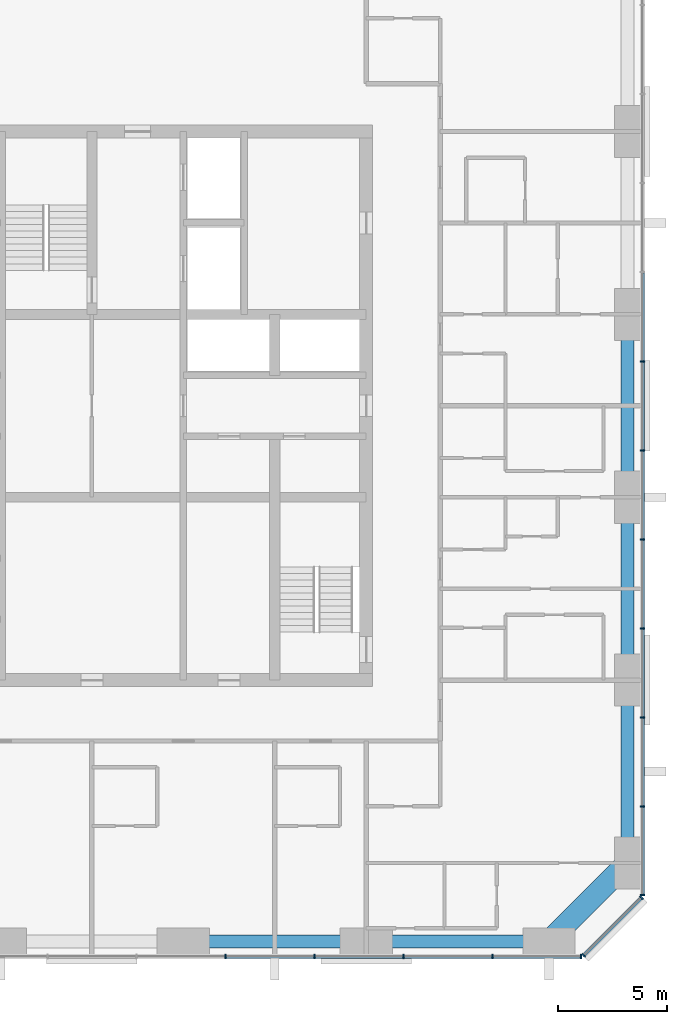
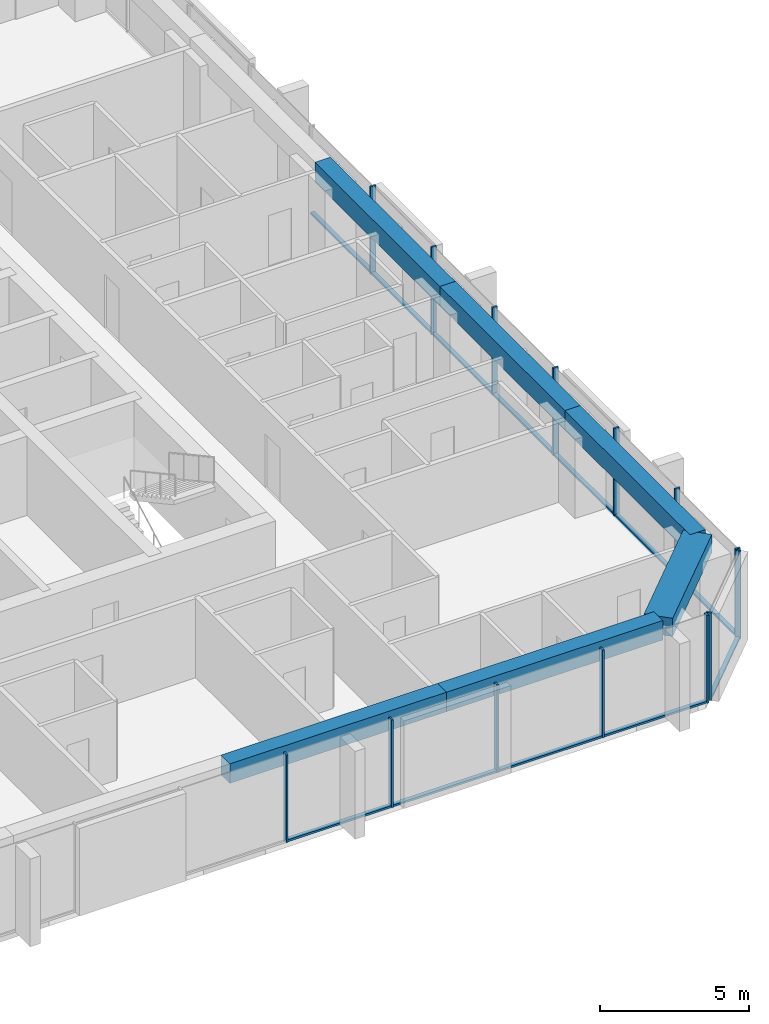
# One storey, part 4 of 13: 26 members, 6 beams, 3 elements without a shape of their own.
"""IFC4 building model written with IfcOpenShell, lengths in metres."""

import ifcopenshell
import ifcopenshell.guid

model = None  # the IFC model being written
_history = None  # IfcOwnerHistory: only IFC2X3 demands one
_inside = {}  # id of a spatial element -> (the spatial element, [elements in it])
_under = {}  # id of a project, library or spatial element -> (it, [spatial elements below it])
_declared = {}  # id of a project -> (the project, [libraries it declares])
_typed = {}  # id of a type object -> (the type object, [elements of that type])
_made_of = {}  # id of a material, layer set ... -> (it, [elements and type objects made of it])


def new_model(schema):
    """Start an empty IFC model of exactly this schema.

    Asked for "IFC4X3", IfcOpenShell would pick the latest addendum, in which some entities
    have other attributes; the version numbers below select the first issue.
    IFC2X3 requires an IfcOwnerHistory on every rooted entity: one is made here for all.
    """
    global model, _history
    if schema == "IFC4X3":
        model = ifcopenshell.file(schema_version=(4, 3, 0, 0))
    else:
        model = ifcopenshell.file(schema=schema)
    _inside.clear()
    _under.clear()
    _declared.clear()
    _typed.clear()
    _made_of.clear()
    _history = None
    if model.schema == "IFC2X3":
        org = make("IfcOrganization", Name="unknown")
        user = make(
            "IfcPersonAndOrganization",
            ThePerson=make("IfcPerson", FamilyName="unknown"),
            TheOrganization=org,
        )
        app = make(
            "IfcApplication",
            ApplicationDeveloper=org,
            Version="unknown",
            ApplicationFullName="unknown",
            ApplicationIdentifier="unknown",
        )
        _history = make(
            "IfcOwnerHistory",
            OwningUser=user,
            OwningApplication=app,
            ChangeAction="ADDED",
            CreationDate=0,
        )
    return model


def make(cls, **values):
    """One entity of the class cls with the attributes given. An attribute that is None is left unset."""
    return model.create_entity(
        cls, **{name: value for name, value in values.items() if value is not None}
    )


def rooted(cls, **values):
    """An entity with a GlobalId (a new one), such as an element, a storey or a relation."""
    return make(cls, GlobalId=ifcopenshell.guid.new(), OwnerHistory=_history, **values)


def si_unit(unit_type, name, prefix=None):
    """IfcSIUnit, for example si_unit("LENGTHUNIT", "METRE", prefix="MILLI")."""
    return make("IfcSIUnit", UnitType=unit_type, Prefix=prefix, Name=name)


def assignment(units):
    """IfcUnitAssignment: the units of a project."""
    return None if units is None else make("IfcUnitAssignment", Units=units)


def point(xyz):
    """IfcCartesianPoint."""
    return None if xyz is None else make("IfcCartesianPoint", Coordinates=xyz)


def direction(xyz):
    """IfcDirection."""
    return None if xyz is None else make("IfcDirection", DirectionRatios=xyz)


def frame(location, z_axis=None, x_axis=None):
    """IfcAxis2Placement3D, a coordinate frame: its origin and axes. An axis left out is left unset."""
    return make(
        "IfcAxis2Placement3D",
        Location=point(location),
        Axis=direction(z_axis),
        RefDirection=direction(x_axis),
    )


def frame_2d(location, x_axis=None):
    """IfcAxis2Placement2D, a coordinate frame in the plane: its origin and x axis."""
    return make(
        "IfcAxis2Placement2D", Location=point(location), RefDirection=direction(x_axis)
    )


def origin():
    """The frame at (0, 0, 0) with its axes left unset."""
    return frame((0.0, 0.0, 0.0))


def origin_2d():
    """The frame at (0, 0) in the plane with its x axis left unset."""
    return frame_2d((0.0, 0.0))


def place(relative_to, where):
    """IfcLocalPlacement: puts the frame where relative to a parent placement (None: the world)."""
    return make(
        "IfcLocalPlacement", PlacementRelTo=relative_to, RelativePlacement=where
    )


def context(
    kind, dimensions, precision=None, world=None, true_north=None, identifier=None
):
    """IfcGeometricRepresentationContext, for example the 3D "Model" context."""
    return make(
        "IfcGeometricRepresentationContext",
        ContextIdentifier=identifier,
        ContextType=kind,
        CoordinateSpaceDimension=dimensions,
        Precision=precision,
        WorldCoordinateSystem=world,
        TrueNorth=true_north,
    )


def subcontext(parent, identifier, kind, view, scale=None):
    """IfcGeometricRepresentationSubContext, for example "Body" below "Model"."""
    return make(
        "IfcGeometricRepresentationSubContext",
        ContextIdentifier=identifier,
        ContextType=kind,
        ParentContext=parent,
        TargetScale=scale,
        TargetView=view,
    )


def project(units=None, contexts=None):
    """IfcProject with its units and contexts."""
    return rooted(
        "IfcProject",
        Name="project",
        RepresentationContexts=contexts,
        UnitsInContext=assignment(units),
    )


def spatial(cls, under=None, at=None, **own):
    """A site, building, storey or space (cls), placed at a placement, below another one or the project."""
    s = rooted(cls, ObjectPlacement=at, **own)
    if under is not None:
        _under.setdefault(under.id(), (under, []))[1].append(s)
    return s


def profile(cls, at=None, kind="AREA", **sizes):
    """A parametric profile (cls). Its sizes go by their IFC names, for example OverallWidth=200.0."""
    return make(cls, ProfileType=kind, Position=at, **sizes)


def rectangle(**sizes):
    """IfcRectangleProfileDef."""
    return profile("IfcRectangleProfileDef", **sizes)


def extrude(swept, where, along, depth):
    """IfcExtrudedAreaSolid: the profile swept, set in the frame where, extruded along a direction by depth."""
    return make(
        "IfcExtrudedAreaSolid",
        SweptArea=swept,
        Position=where,
        ExtrudedDirection=direction(along),
        Depth=depth,
    )


def shape(context_of_items, identifier, shape_type, items):
    """IfcShapeRepresentation: the items that make up one representation, for example the "Body"."""
    return make(
        "IfcShapeRepresentation",
        ContextOfItems=context_of_items,
        RepresentationIdentifier=identifier,
        RepresentationType=shape_type,
        Items=items,
    )


def material(Name=None, Category=None):
    """IfcMaterial."""
    return make("IfcMaterial", Name=Name, Category=Category)


def material_profile(
    of_material, cross_section, Name=None, Category=None, Priority=None
):
    """IfcMaterialProfile: a cross section and its material."""
    return make(
        "IfcMaterialProfile",
        Name=Name,
        Material=of_material,
        Profile=cross_section,
        Priority=Priority,
        Category=Category,
    )


def profile_set(profiles, Name=None, composite=None):
    """IfcMaterialProfileSet."""
    return make(
        "IfcMaterialProfileSet",
        Name=Name,
        MaterialProfiles=profiles,
        CompositeProfile=composite,
    )


def made_of(thing, what):
    """Note that an element or type object is made of a material, layer set ...; save() writes the relation."""
    if what is not None:
        _made_of.setdefault(what.id(), (what, []))[1].append(thing)
    return thing


def type_object(cls, material=None, **own):
    """A type object (cls), such as IfcWallType, which elements share."""
    return made_of(rooted(cls, **own), material)


def element(
    cls,
    number,
    at=None,
    inside=None,
    cuts=None,
    type_object=None,
    material=None,
    context=None,
    identifier="Body",
    shape_type=None,
    held_by="IfcProductDefinitionShape",
    body=None,
    shapes=None,
    **own,
):
    """One element of the class cls, such as IfcWall. Its Tag is "e" and its number.

    at: its placement. inside: the storey or other place that contains it. cuts: it is an
    opening in that element (IfcRelVoidsElement). A single representation is given by context,
    identifier, shape_type and body (its items); several are given by shapes. held_by: the class
    of the entity that holds the representations. save() writes the other relations.
    """
    e = rooted(cls, Tag="e%d" % number, ObjectPlacement=at, **own)
    if body is not None:
        shapes = [shape(context, identifier, shape_type, body)]
    if shapes is not None:
        e.Representation = make(held_by, Representations=shapes)
    if inside is not None:
        _inside.setdefault(inside.id(), (inside, []))[1].append(e)
    if cuts is not None:
        rooted(
            "IfcRelVoidsElement", RelatingBuildingElement=cuts, RelatedOpeningElement=e
        )
    if type_object is not None:
        _typed.setdefault(type_object.id(), (type_object, []))[1].append(e)
    return made_of(e, material)


def aggregate(whole, parts):
    """IfcRelAggregates: a whole, such as a stair, and the parts it consists of."""
    return rooted("IfcRelAggregates", RelatingObject=whole, RelatedObjects=parts)


def save(model, path):
    """Write the relations noted so far, then the file.

    IfcRelAggregates (storeys below a building ...), IfcRelContainedInSpatialStructure (elements
    in a storey), IfcRelDefinesByType, IfcRelAssociatesMaterial and IfcRelDeclares: one each for
    every whole, place, type object, material and project.
    """
    for whole, parts in _under.values():
        aggregate(whole, parts)
    for where, things in _inside.values():
        rooted(
            "IfcRelContainedInSpatialStructure",
            RelatedElements=things,
            RelatingStructure=where,
        )
    for kind, things in _typed.values():
        rooted("IfcRelDefinesByType", RelatedObjects=things, RelatingType=kind)
    for what, things in _made_of.values():
        rooted("IfcRelAssociatesMaterial", RelatedObjects=things, RelatingMaterial=what)
    for by, libraries in _declared.values():
        rooted("IfcRelDeclares", RelatingContext=by, RelatedDefinitions=libraries)
    model.write(path)


model = new_model("IFC4")

# Units and contexts
model_context = context("Model", 3, precision=1e-05, world=origin(), true_north=direction((0.0, 1.0)))
body_context = subcontext(model_context, "Body", "Model", "MODEL_VIEW")
ifc_project = project(units=[si_unit("LENGTHUNIT", "METRE"), si_unit("AREAUNIT", "SQUARE_METRE"), si_unit("VOLUMEUNIT", "CUBIC_METRE"), si_unit("PLANEANGLEUNIT", "RADIAN"), si_unit("MASSUNIT", "GRAM", prefix="KILO")], contexts=[model_context])

# Site, building, storey
site_placement = place(None, origin())
site = spatial("IfcSite", under=ifc_project, at=site_placement, CompositionType="ELEMENT")
building_placement = place(site_placement, origin())
building = spatial("IfcBuilding", under=site, at=building_placement, Name="Dunama Terrace Hotel", CompositionType="ELEMENT")
storey_placement = place(building_placement, frame((0.0, 0.0, 187.800048828125)))
storey = spatial("IfcBuildingStorey", under=building, at=storey_placement, Name="L48", CompositionType="ELEMENT", Elevation=187.800048828125)

# Curtain wall, members
ifc_material_1 = material(Name="Aluminium curtain wall system", Category="aluminium")
curtain_wall_type = type_object("IfcCurtainWallType", Name="Unitised fritted glass wall CW-C", PredefinedType="NOTDEFINED", material=ifc_material_1)
curtain_wall_1_placement = place(storey_placement, origin())
curtain_wall_1 = element("IfcCurtainWall", 1, at=curtain_wall_1_placement, inside=storey, type_object=curtain_wall_type, Name="Unitised fritted glass wall CW-C L48", PredefinedType="NOTDEFINED")
ifc_material_2 = material(Name="Aluminium mullion", Category="aluminium")
ifc_material_profile_1 = material_profile(ifc_material_2, rectangle(XDim=0.070068359375, YDim=0.199951171875, at=origin_2d()), Name="CWC MULLION 70X200")
ifc_profile_set_1 = profile_set([ifc_material_profile_1], Name="Aluminium mullion")
member_type_1 = type_object("IfcMemberType", Name="CWC mullion 70x200", PredefinedType="MULLION", material=ifc_profile_set_1)
member_1_placement = place(storey_placement, frame((35.535888671875, 4.10009765625, 0.0), z_axis=(0.0, 0.0, 1.0), x_axis=(1.0, 0.0, 0.0)))
member_1 = element("IfcMember", 2, at=member_1_placement, type_object=member_type_1, Name="CWC mullion", PredefinedType="MULLION", context=body_context, shape_type="SweptSolid", body=[
    extrude(rectangle(XDim=0.070068359375, YDim=0.199951171875, at=origin_2d()), origin(), (0.0, 0.0, 1.0), 3.599853515625),
])
member_2_placement = place(storey_placement, frame((39.626953125, 4.10009765625, 0.0), z_axis=(0.0, 0.0, 1.0), x_axis=(1.0, 0.0, 0.0)))
member_2 = element("IfcMember", 3, at=member_2_placement, type_object=member_type_1, Name="CWC mullion", PredefinedType="MULLION", context=body_context, shape_type="SweptSolid", body=[
    extrude(rectangle(XDim=0.070068359375, YDim=0.199951171875, at=origin_2d()), origin(), (0.0, 0.0, 1.0), 3.599853515625),
])
member_3_placement = place(storey_placement, frame((43.718017578125, 4.10009765625, 0.0), z_axis=(0.0, 0.0, 1.0), x_axis=(1.0, 0.0, 0.0)))
member_3 = element("IfcMember", 4, at=member_3_placement, type_object=member_type_1, Name="CWC mullion", PredefinedType="MULLION", context=body_context, shape_type="SweptSolid", body=[
    extrude(rectangle(XDim=0.070068359375, YDim=0.199951171875, at=origin_2d()), origin(), (0.0, 0.0, 1.0), 3.599853515625),
])
member_4_placement = place(storey_placement, frame((47.80908203125, 4.10009765625, 0.0), z_axis=(0.0, 0.0, 1.0), x_axis=(1.0, 0.0, 0.0)))
member_4 = element("IfcMember", 5, at=member_4_placement, type_object=member_type_1, Name="CWC mullion", PredefinedType="MULLION", context=body_context, shape_type="SweptSolid", body=[
    extrude(rectangle(XDim=0.070068359375, YDim=0.199951171875, at=origin_2d()), origin(), (0.0, 0.0, 1.0), 3.599853515625),
])
member_5_placement = place(storey_placement, frame((51.864990234375, 4.10009765625, 0.0), z_axis=(0.0, 0.0, 1.0), x_axis=(1.0, 0.0, 0.0)))
member_5 = element("IfcMember", 6, at=member_5_placement, type_object=member_type_1, Name="CWC mullion", PredefinedType="MULLION", context=body_context, shape_type="SweptSolid", body=[
    extrude(rectangle(XDim=0.070068359375, YDim=0.199951171875, at=origin_2d()), origin(), (0.0, 0.0, 1.0), 3.599853515625),
])

curtain_wall_2_placement = place(storey_placement, origin())
curtain_wall_2 = element("IfcCurtainWall", 7, at=curtain_wall_2_placement, inside=storey, type_object=curtain_wall_type, Name="Unitised fritted glass wall CW-C L48", PredefinedType="NOTDEFINED")
member_6_placement = place(storey_placement, frame((51.9951171875, 4.154052734375, 0.0), z_axis=(0.0, 0.0, 1.0), x_axis=(0.707106781187, 0.707106781187, 0.0)))
member_6 = element("IfcMember", 8, at=member_6_placement, type_object=member_type_1, Name="CWC mullion", PredefinedType="MULLION", context=body_context, shape_type="SweptSolid", body=[
    extrude(rectangle(XDim=0.070068359375, YDim=0.199951171875, at=origin_2d()), origin(), (0.0, 0.0, 1.0), 3.599853515625),
])
member_7_placement = place(storey_placement, frame((54.64599609375, 6.804931640625, 0.0), z_axis=(0.0, 0.0, 1.0), x_axis=(0.707106781187, 0.707106781187, 0.0)))
member_7 = element("IfcMember", 9, at=member_7_placement, type_object=member_type_1, Name="CWC mullion", PredefinedType="MULLION", context=body_context, shape_type="SweptSolid", body=[
    extrude(rectangle(XDim=0.070068359375, YDim=0.199951171875, at=origin_2d()), origin(), (0.0, 0.0, 1.0), 3.599853515625),
])

curtain_wall_3_placement = place(storey_placement, origin())
curtain_wall_3 = element("IfcCurtainWall", 10, at=curtain_wall_3_placement, inside=storey, type_object=curtain_wall_type, Name="Unitised fritted glass wall CW-C L48", PredefinedType="NOTDEFINED")
member_8_placement = place(storey_placement, frame((54.699951171875, 6.93505859375, 0.0), z_axis=(0.0, 0.0, 1.0), x_axis=(0.0, 1.0, 0.0)))
member_8 = element("IfcMember", 11, at=member_8_placement, type_object=member_type_1, Name="CWC mullion", PredefinedType="MULLION", context=body_context, shape_type="SweptSolid", body=[
    extrude(rectangle(XDim=0.070068359375, YDim=0.199951171875, at=origin_2d()), origin(), (0.0, 0.0, 1.0), 3.599853515625),
])
member_9_placement = place(storey_placement, frame((54.699951171875, 10.990966796875, 0.0), z_axis=(0.0, 0.0, 1.0), x_axis=(0.0, 1.0, 0.0)))
member_9 = element("IfcMember", 12, at=member_9_placement, type_object=member_type_1, Name="CWC mullion", PredefinedType="MULLION", context=body_context, shape_type="SweptSolid", body=[
    extrude(rectangle(XDim=0.070068359375, YDim=0.199951171875, at=origin_2d()), origin(), (0.0, 0.0, 1.0), 3.599853515625),
])
member_10_placement = place(storey_placement, frame((54.699951171875, 15.08203125, 0.0), z_axis=(0.0, 0.0, 1.0), x_axis=(0.0, 1.0, 0.0)))
member_10 = element("IfcMember", 13, at=member_10_placement, type_object=member_type_1, Name="CWC mullion", PredefinedType="MULLION", context=body_context, shape_type="SweptSolid", body=[
    extrude(rectangle(XDim=0.070068359375, YDim=0.199951171875, at=origin_2d()), origin(), (0.0, 0.0, 1.0), 3.599853515625),
])
member_11_placement = place(storey_placement, frame((54.699951171875, 19.173095703125, 0.0), z_axis=(0.0, 0.0, 1.0), x_axis=(0.0, 1.0, 0.0)))
member_11 = element("IfcMember", 14, at=member_11_placement, type_object=member_type_1, Name="CWC mullion", PredefinedType="MULLION", context=body_context, shape_type="SweptSolid", body=[
    extrude(rectangle(XDim=0.070068359375, YDim=0.199951171875, at=origin_2d()), origin(), (0.0, 0.0, 1.0), 3.599853515625),
])
member_12_placement = place(storey_placement, frame((54.699951171875, 23.263916015625, 0.0), z_axis=(0.0, 0.0, 1.0), x_axis=(0.0, 1.0, 0.0)))
member_12 = element("IfcMember", 15, at=member_12_placement, type_object=member_type_1, Name="CWC mullion", PredefinedType="MULLION", context=body_context, shape_type="SweptSolid", body=[
    extrude(rectangle(XDim=0.070068359375, YDim=0.199951171875, at=origin_2d()), origin(), (0.0, 0.0, 1.0), 3.599853515625),
])
member_13_placement = place(storey_placement, frame((54.699951171875, 27.35498046875, 0.0), z_axis=(0.0, 0.0, 1.0), x_axis=(0.0, 1.0, 0.0)))
member_13 = element("IfcMember", 16, at=member_13_placement, type_object=member_type_1, Name="CWC mullion", PredefinedType="MULLION", context=body_context, shape_type="SweptSolid", body=[
    extrude(rectangle(XDim=0.070068359375, YDim=0.199951171875, at=origin_2d()), origin(), (0.0, 0.0, 1.0), 3.599853515625),
])
member_14_placement = place(storey_placement, frame((54.699951171875, 31.445068359375, 0.0), z_axis=(0.0, 0.0, 1.0), x_axis=(0.0, 1.0, 0.0)))
member_14 = element("IfcMember", 17, at=member_14_placement, type_object=member_type_1, Name="CWC mullion", PredefinedType="MULLION", context=body_context, shape_type="SweptSolid", body=[
    extrude(rectangle(XDim=0.070068359375, YDim=0.199951171875, at=origin_2d()), origin(), (0.0, 0.0, 1.0), 3.599853515625),
])

# Member
ifc_material_3 = material(Name="Aluminium transom", Category="aluminium")
ifc_material_profile_2 = material_profile(ifc_material_3, rectangle(XDim=0.159912109375, YDim=0.080078125, at=origin_2d()), Name="CWC TRANSOM 160X80")
ifc_profile_set_2 = profile_set([ifc_material_profile_2], Name="Aluminium transom")
member_type_2 = type_object("IfcMemberType", Name="CWC transom 160x80", PredefinedType="USERDEFINED", material=ifc_profile_set_2)
member_15_placement = place(storey_placement, frame((35.571044921875, 4.10009765625, 0.0400390625), z_axis=(1.0, 0.0, 0.0), x_axis=(0.0, 1.0, 0.0)))
member_15 = element("IfcMember", 18, at=member_15_placement, type_object=member_type_2, Name="CWC transom", ObjectType="TRANSOM", PredefinedType="USERDEFINED", context=body_context, shape_type="SweptSolid", body=[
    extrude(rectangle(XDim=0.159912109375, YDim=0.080078125, at=origin_2d()), origin(), (0.0, 0.0, 1.0), 4.02099609375),
])

member_16_placement = place(storey_placement, frame((39.662109375, 4.10009765625, 0.0400390625), z_axis=(1.0, 0.0, 0.0), x_axis=(0.0, 1.0, 0.0)))
member_16 = element("IfcMember", 19, at=member_16_placement, type_object=member_type_2, Name="CWC transom", ObjectType="TRANSOM", PredefinedType="USERDEFINED", context=body_context, shape_type="SweptSolid", body=[
    extrude(rectangle(XDim=0.159912109375, YDim=0.080078125, at=origin_2d()), origin(), (0.0, 0.0, 1.0), 4.02099609375),
])

member_17_placement = place(storey_placement, frame((43.7529296875, 4.10009765625, 0.0400390625), z_axis=(1.0, 0.0, 0.0), x_axis=(0.0, 1.0, 0.0)))
member_17 = element("IfcMember", 20, at=member_17_placement, type_object=member_type_2, Name="CWC transom", ObjectType="TRANSOM", PredefinedType="USERDEFINED", context=body_context, shape_type="SweptSolid", body=[
    extrude(rectangle(XDim=0.159912109375, YDim=0.080078125, at=origin_2d()), origin(), (0.0, 0.0, 1.0), 4.02099609375),
])

member_18_placement = place(storey_placement, frame((47.843994140625, 4.10009765625, 0.0400390625), z_axis=(1.0, 0.0, 0.0), x_axis=(0.0, 1.0, 0.0)))
member_18 = element("IfcMember", 21, at=member_18_placement, type_object=member_type_2, Name="CWC transom", ObjectType="TRANSOM", PredefinedType="USERDEFINED", context=body_context, shape_type="SweptSolid", body=[
    extrude(rectangle(XDim=0.159912109375, YDim=0.080078125, at=origin_2d()), origin(), (0.0, 0.0, 1.0), 3.986083984375),
])

aggregate(curtain_wall_1, [member_1, member_2, member_3, member_4, member_5, member_15, member_16, member_17, member_18])

member_19_placement = place(storey_placement, frame((52.02001953125, 4.178955078125, 0.0400390625), z_axis=(0.707106781187, 0.707106781187, 0.0), x_axis=(-0.707106781187, 0.707106781187, 0.0)))
member_19 = element("IfcMember", 22, at=member_19_placement, type_object=member_type_2, Name="CWC transom", ObjectType="TRANSOM", PredefinedType="USERDEFINED", context=body_context, shape_type="SweptSolid", body=[
    extrude(rectangle(XDim=0.159912109375, YDim=0.080078125, at=origin_2d()), origin(), (0.0, 0.0, 1.0), 3.678466796875),
])

aggregate(curtain_wall_2, [member_6, member_7, member_19])

member_20_placement = place(storey_placement, frame((54.699951171875, 6.969970703125, 0.0400390625), z_axis=(0.0, 1.0, 0.0), x_axis=(-1.0, 0.0, 0.0)))
member_20 = element("IfcMember", 23, at=member_20_placement, type_object=member_type_2, Name="CWC transom", ObjectType="TRANSOM", PredefinedType="USERDEFINED", context=body_context, shape_type="SweptSolid", body=[
    extrude(rectangle(XDim=0.159912109375, YDim=0.080078125, at=origin_2d()), origin(), (0.0, 0.0, 1.0), 3.986083984375),
])

member_21_placement = place(storey_placement, frame((54.699951171875, 11.02587890625, 0.0400390625), z_axis=(0.0, 1.0, 0.0), x_axis=(-1.0, 0.0, 0.0)))
member_21 = element("IfcMember", 24, at=member_21_placement, type_object=member_type_2, Name="CWC transom", ObjectType="TRANSOM", PredefinedType="USERDEFINED", context=body_context, shape_type="SweptSolid", body=[
    extrude(rectangle(XDim=0.159912109375, YDim=0.080078125, at=origin_2d()), origin(), (0.0, 0.0, 1.0), 4.021240234375),
])

member_22_placement = place(storey_placement, frame((54.699951171875, 15.116943359375, 0.0400390625), z_axis=(0.0, 1.0, 0.0), x_axis=(-1.0, 0.0, 0.0)))
member_22 = element("IfcMember", 25, at=member_22_placement, type_object=member_type_2, Name="CWC transom", ObjectType="TRANSOM", PredefinedType="USERDEFINED", context=body_context, shape_type="SweptSolid", body=[
    extrude(rectangle(XDim=0.159912109375, YDim=0.080078125, at=origin_2d()), origin(), (0.0, 0.0, 1.0), 4.02099609375),
])

member_23_placement = place(storey_placement, frame((54.699951171875, 19.2080078125, 0.0400390625), z_axis=(0.0, 1.0, 0.0), x_axis=(-1.0, 0.0, 0.0)))
member_23 = element("IfcMember", 26, at=member_23_placement, type_object=member_type_2, Name="CWC transom", ObjectType="TRANSOM", PredefinedType="USERDEFINED", context=body_context, shape_type="SweptSolid", body=[
    extrude(rectangle(XDim=0.159912109375, YDim=0.080078125, at=origin_2d()), origin(), (0.0, 0.0, 1.0), 4.02099609375),
])

member_24_placement = place(storey_placement, frame((54.699951171875, 23.299072265625, 0.0400390625), z_axis=(0.0, 1.0, 0.0), x_axis=(-1.0, 0.0, 0.0)))
member_24 = element("IfcMember", 27, at=member_24_placement, type_object=member_type_2, Name="CWC transom", ObjectType="TRANSOM", PredefinedType="USERDEFINED", context=body_context, shape_type="SweptSolid", body=[
    extrude(rectangle(XDim=0.159912109375, YDim=0.080078125, at=origin_2d()), origin(), (0.0, 0.0, 1.0), 4.02099609375),
])

member_25_placement = place(storey_placement, frame((54.699951171875, 27.389892578125, 0.0400390625), z_axis=(0.0, 1.0, 0.0), x_axis=(-1.0, 0.0, 0.0)))
member_25 = element("IfcMember", 28, at=member_25_placement, type_object=member_type_2, Name="CWC transom", ObjectType="TRANSOM", PredefinedType="USERDEFINED", context=body_context, shape_type="SweptSolid", body=[
    extrude(rectangle(XDim=0.159912109375, YDim=0.080078125, at=origin_2d()), origin(), (0.0, 0.0, 1.0), 4.02001953125),
])

member_26_placement = place(storey_placement, frame((54.699951171875, 31.47998046875, 0.0400390625), z_axis=(0.0, 1.0, 0.0), x_axis=(-1.0, 0.0, 0.0)))
member_26 = element("IfcMember", 29, at=member_26_placement, type_object=member_type_2, Name="CWC transom", ObjectType="TRANSOM", PredefinedType="USERDEFINED", context=body_context, shape_type="SweptSolid", body=[
    extrude(rectangle(XDim=0.159912109375, YDim=0.080078125, at=origin_2d()), origin(), (0.0, 0.0, 1.0), 4.02099609375),
])

aggregate(curtain_wall_3, [member_8, member_9, member_10, member_11, member_12, member_13, member_14, member_20, member_21, member_22, member_23, member_24, member_25, member_26])

# Beams
ifc_material_4 = material(Name="Concrete C50/60", Category="concrete")
ifc_material_profile_3 = material_profile(ifc_material_4, rectangle(XDim=1.0, YDim=0.75, at=origin_2d()), Name="RC 1000x750")
ifc_profile_set_3 = profile_set([ifc_material_profile_3], Name="Concrete C50/60")
beam_type_1 = type_object("IfcBeamType", Name="Edge beam RC 1000x750", PredefinedType="SPANDREL", material=ifc_profile_set_3)
beam_1_placement = place(storey_placement, frame((50.39990234375, 4.800048828125, 3.224853515625), z_axis=(0.707130757816, 0.707082803744, 0.0), x_axis=(-0.707082803744, 0.707130757816, 0.0)))
element("IfcBeam", 30, at=beam_1_placement, inside=storey, type_object=beam_type_1, Name="Corner edge beam under L49", PredefinedType="SPANDREL", context=body_context, shape_type="SweptSolid", body=[
    extrude(rectangle(XDim=1.0, YDim=0.75, at=origin_2d()), origin(), (0.0, 0.0, 1.0), 5.091064453125),
])
ifc_material_5 = material(Name="Concrete C40/50", Category="concrete")
ifc_material_profile_4 = material_profile(ifc_material_5, rectangle(XDim=0.60009765625, YDim=0.800048828125, at=origin_2d()), Name="RC 600x800")
ifc_profile_set_4 = profile_set([ifc_material_profile_4], Name="Concrete C40/50")
beam_type_2 = type_object("IfcBeamType", Name="Edge beam RC 600x800", PredefinedType="SPANDREL", material=ifc_profile_set_4)
beam_2_placement = place(storey_placement, frame((54.0, 8.39990234375, 3.199951171875), z_axis=(0.0, 1.0, 0.0), x_axis=(-1.0, 0.0, 0.0)))
element("IfcBeam", 31, at=beam_2_placement, inside=storey, type_object=beam_type_2, Name="Edge beam under L49", PredefinedType="SPANDREL", context=body_context, shape_type="SweptSolid", body=[
    extrude(rectangle(XDim=0.60009765625, YDim=0.800048828125, at=origin_2d()), origin(), (0.0, 0.0, 1.0), 8.400146484375),
])
beam_3_placement = place(storey_placement, frame((54.0, 16.800048828125, 3.199951171875), z_axis=(0.0, 1.0, 0.0), x_axis=(-1.0, 0.0, 0.0)))
element("IfcBeam", 32, at=beam_3_placement, inside=storey, type_object=beam_type_2, Name="Edge beam under L49", PredefinedType="SPANDREL", context=body_context, shape_type="SweptSolid", body=[
    extrude(rectangle(XDim=0.60009765625, YDim=0.800048828125, at=origin_2d()), origin(), (0.0, 0.0, 1.0), 8.39990234375),
])
beam_4_placement = place(storey_placement, frame((54.0, 25.199951171875, 3.199951171875), z_axis=(0.0, 1.0, 0.0), x_axis=(-1.0, 0.0, 0.0)))
element("IfcBeam", 33, at=beam_4_placement, inside=storey, type_object=beam_type_2, Name="Edge beam under L49", PredefinedType="SPANDREL", context=body_context, shape_type="SweptSolid", body=[
    extrude(rectangle(XDim=0.60009765625, YDim=0.800048828125, at=origin_2d()), origin(), (0.0, 0.0, 1.0), 8.400146484375),
])
for number, where, z_axis, x_axis, name in (
    (34, (33.60009765625, 4.800048828125, 3.199951171875), (1.0, 0.0, 0.0), (0.0, 1.0, 0.0), "Edge beam under L49"),
    (35, (42.0, 4.800048828125, 3.199951171875), (1.0, 0.0, 0.0), (0.0, 1.0, 0.0), "Edge beam under L49"),
):
    element("IfcBeam", number, at=place(storey_placement, frame(where, z_axis=z_axis, x_axis=x_axis)), inside=storey, type_object=beam_type_2, Name=name, PredefinedType="SPANDREL", context=body_context, shape_type="SweptSolid", body=[
        extrude(rectangle(XDim=0.60009765625, YDim=0.800048828125, at=origin_2d()), origin(), (0.0, 0.0, 1.0), 8.39990234375),
    ])

save(model, "model.ifc")
